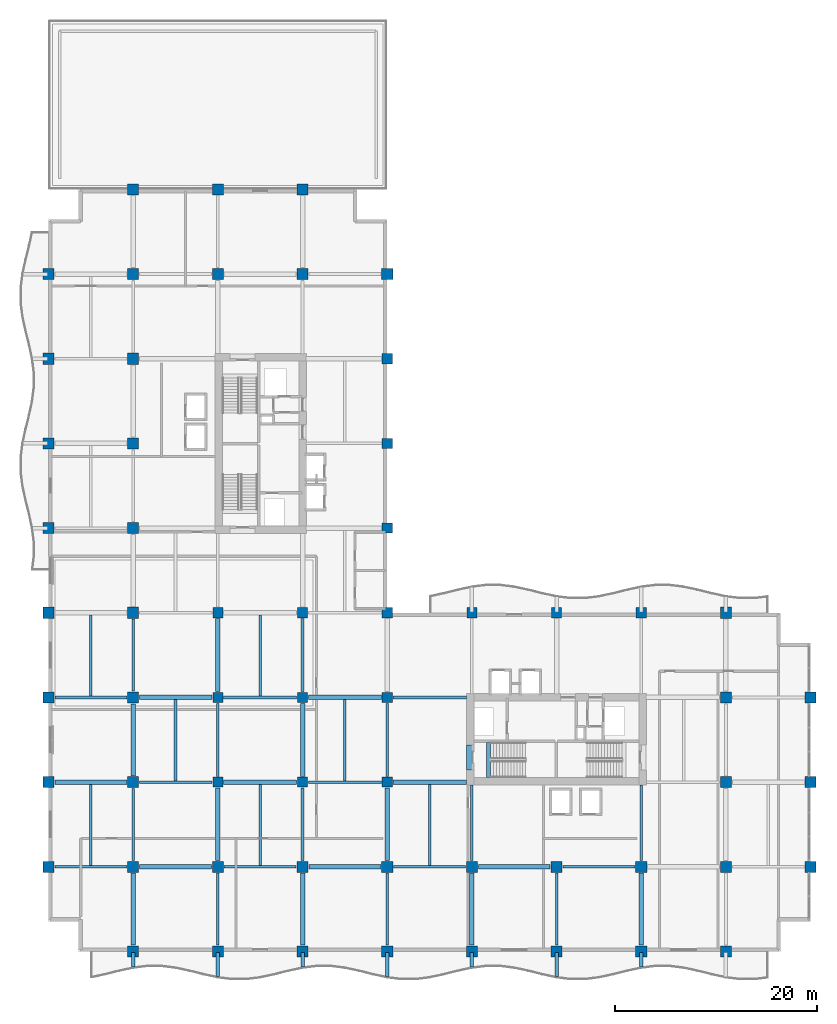
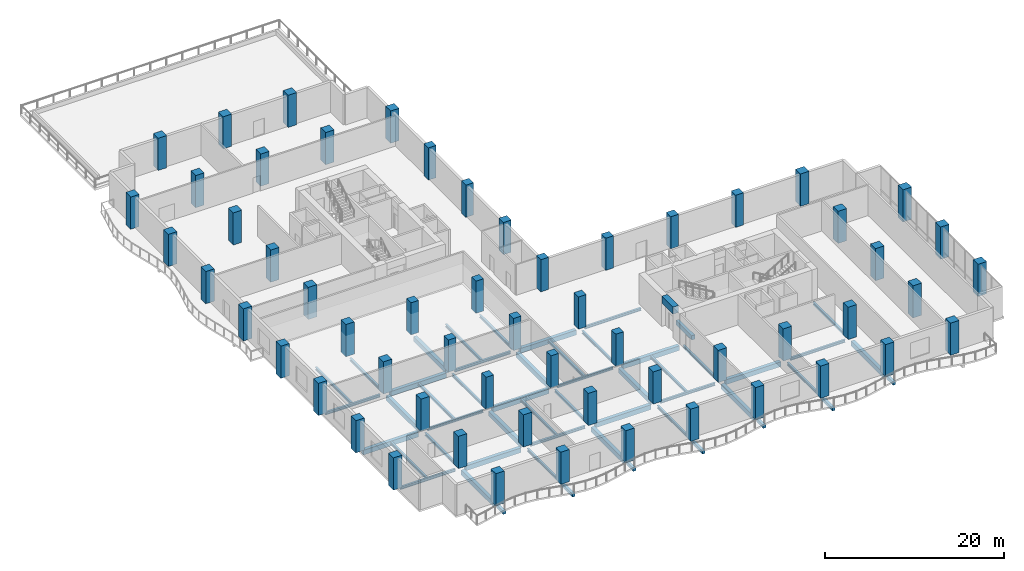
# One storey, part 1 of 22: 58 columns, 53 beams.
"""IFC4 building model written with IfcOpenShell, lengths in metres."""

from ifc_helpers import new_model, si_unit, direction, frame, origin, origin_2d, place, context, subcontext, project, spatial, rectangle, i_section, extrude, material, material_profile, profile_set, type_object, element, save


model = new_model("IFC4")

# Units and contexts
model_context = context("Model", 3, precision=1e-05, world=origin(), true_north=direction((0.0, 1.0)))
body_context = subcontext(model_context, "Body", "Model", "MODEL_VIEW")
ifc_project = project(units=[si_unit("LENGTHUNIT", "METRE"), si_unit("AREAUNIT", "SQUARE_METRE"), si_unit("VOLUMEUNIT", "CUBIC_METRE"), si_unit("PLANEANGLEUNIT", "RADIAN"), si_unit("MASSUNIT", "GRAM", prefix="KILO")], contexts=[model_context])

# Site, building, storey
site_placement = place(None, origin())
site = spatial("IfcSite", under=ifc_project, at=site_placement, CompositionType="ELEMENT")
building_placement = place(site_placement, origin())
building = spatial("IfcBuilding", under=site, at=building_placement, Name="Koriwani Terraces Tower", CompositionType="ELEMENT")
storey_placement = place(building_placement, frame((0.0, 0.0, 153.199951171875)))
storey = spatial("IfcBuildingStorey", under=building, at=storey_placement, Name="L37", CompositionType="ELEMENT", Elevation=153.199951171875)

# Columns
ifc_material_1 = material(Name="Concrete C50/60", Category="concrete")
ifc_material_profile_1 = material_profile(ifc_material_1, rectangle(XDim=1.0, YDim=1.0, at=origin_2d()), Name="Concrete C50/60", Category="LoadBearing")
ifc_profile_set_1 = profile_set([ifc_material_profile_1], Name="Concrete C50/60")
column_type_1 = type_object("IfcColumnType", Name="COL_RC_1000X1000", PredefinedType="COLUMN", material=ifc_profile_set_1)
for number, where, z_axis, x_axis, name in (
    (1, (16.800048828125, 16.800048828125, 0.0), (0.0, 0.0, 1.0), (1.0, 0.0, 0.0), "L37 Column 3/C"),
    (2, (16.800048828125, 25.199951171875, 0.0), (0.0, 0.0, 1.0), (1.0, 0.0, 0.0), "L37 Column 3/D"),
    (3, (16.800048828125, 33.60009765625, 0.0), (0.0, 0.0, 1.0), (1.0, 0.0, 0.0), "L37 Column 3/E"),
    (4, (25.199951171875, 16.800048828125, 0.0), (0.0, 0.0, 1.0), (1.0, 0.0, 0.0), "L37 Column 4/C"),
    (5, (25.199951171875, 25.199951171875, 0.0), (0.0, 0.0, 1.0), (1.0, 0.0, 0.0), "L37 Column 4/D"),
    (6, (25.199951171875, 33.60009765625, 0.0), (0.0, 0.0, 1.0), (1.0, 0.0, 0.0), "L37 Column 4/E"),
    (7, (33.60009765625, 16.800048828125, 0.0), (0.0, 0.0, 1.0), (1.0, 0.0, 0.0), "L37 Column 5/C"),
    (8, (33.60009765625, 25.199951171875, 0.0), (0.0, 0.0, 1.0), (1.0, 0.0, 0.0), "L37 Column 5/D"),
    (9, (33.60009765625, 33.60009765625, 0.0), (0.0, 0.0, 1.0), (1.0, 0.0, 0.0), "L37 Column 5/E"),
    (10, (33.60009765625, 42.0, 0.0), (0.0, 0.0, 1.0), (1.0, 0.0, 0.0), "L37 Column 5/F"),
    (11, (33.60009765625, 50.39990234375, 0.0), (0.0, 0.0, 1.0), (1.0, 0.0, 0.0), "L37 Column 5/G"),
    (12, (33.60009765625, 58.800048828125, 0.0), (0.0, 0.0, 1.0), (1.0, 0.0, 0.0), "L37 Column 5/H"),
    (13, (42.0, 33.60009765625, 0.0), (0.0, 0.0, 1.0), (1.0, 0.0, 0.0), "L37 Column 6/E"),
    (14, (50.39990234375, 33.60009765625, 0.0), (0.0, 0.0, 1.0), (1.0, 0.0, 0.0), "L37 Column 7/E"),
    (15, (58.800048828125, 33.60009765625, 0.0), (0.0, 0.0, 1.0), (1.0, 0.0, 0.0), "L37 Column 8/E"),
):
    element("IfcColumn", number, at=place(storey_placement, frame(where, z_axis=z_axis, x_axis=x_axis)), inside=storey, type_object=column_type_1, Name=name, PredefinedType="COLUMN", context=body_context, shape_type="SweptSolid", body=[
        extrude(rectangle(XDim=1.0, YDim=1.0, at=origin_2d()), origin(), (0.0, 0.0, 1.0), 4.400146484375),
    ])
ifc_material_profile_2 = material_profile(ifc_material_1, rectangle(XDim=1.10009765625, YDim=1.10009765625, at=origin_2d()), Name="Concrete C50/60", Category="LoadBearing")
ifc_profile_set_2 = profile_set([ifc_material_profile_2], Name="Concrete C50/60")
column_type_2 = type_object("IfcColumnType", Name="COL_RC_1100X1100", PredefinedType="COLUMN", material=ifc_profile_set_2)
for number, where, z_axis, x_axis, name in (
    (16, (0.0, 8.39990234375, 0.0), (0.0, 0.0, 1.0), (1.0, 0.0, 0.0), "L37 Column 1/B"),
    (17, (0.0, 16.800048828125, 0.0), (0.0, 0.0, 1.0), (1.0, 0.0, 0.0), "L37 Column 1/C"),
    (18, (0.0, 25.199951171875, 0.0), (0.0, 0.0, 1.0), (1.0, 0.0, 0.0), "L37 Column 1/D"),
    (19, (0.0, 33.60009765625, 0.0), (0.0, 0.0, 1.0), (1.0, 0.0, 0.0), "L37 Column 1/E"),
    (20, (0.0, 42.0, 0.0), (0.0, 0.0, 1.0), (1.0, 0.0, 0.0), "L37 Column 1/F"),
    (21, (0.0, 50.39990234375, 0.0), (0.0, 0.0, 1.0), (1.0, 0.0, 0.0), "L37 Column 1/G"),
    (22, (0.0, 58.800048828125, 0.0), (0.0, 0.0, 1.0), (1.0, 0.0, 0.0), "L37 Column 1/H"),
    (23, (0.0, 67.199951171875, 0.0), (0.0, 0.0, 1.0), (1.0, 0.0, 0.0), "L37 Column 1/I"),
    (24, (8.39990234375, 0.0, 0.0), (0.0, 0.0, 1.0), (1.0, 0.0, 0.0), "L37 Column 2/A"),
    (25, (8.39990234375, 8.39990234375, 0.0), (0.0, 0.0, 1.0), (1.0, 0.0, 0.0), "L37 Column 2/B"),
    (26, (8.39990234375, 16.800048828125, 0.0), (0.0, 0.0, 1.0), (1.0, 0.0, 0.0), "L37 Column 2/C"),
    (27, (8.39990234375, 25.199951171875, 0.0), (0.0, 0.0, 1.0), (1.0, 0.0, 0.0), "L37 Column 2/D"),
    (28, (8.39990234375, 33.60009765625, 0.0), (0.0, 0.0, 1.0), (1.0, 0.0, 0.0), "L37 Column 2/E"),
    (29, (8.39990234375, 42.0, 0.0), (0.0, 0.0, 1.0), (1.0, 0.0, 0.0), "L37 Column 2/F"),
    (30, (8.39990234375, 50.39990234375, 0.0), (0.0, 0.0, 1.0), (1.0, 0.0, 0.0), "L37 Column 2/G"),
    (31, (8.39990234375, 58.800048828125, 0.0), (0.0, 0.0, 1.0), (1.0, 0.0, 0.0), "L37 Column 2/H"),
    (32, (8.39990234375, 67.199951171875, 0.0), (0.0, 0.0, 1.0), (1.0, 0.0, 0.0), "L37 Column 2/I"),
    (33, (8.39990234375, 75.60009765625, 0.0), (0.0, 0.0, 1.0), (1.0, 0.0, 0.0), "L37 Column 2/J"),
    (34, (16.800048828125, 0.0, 0.0), (0.0, 0.0, 1.0), (1.0, 0.0, 0.0), "L37 Column 3/A"),
    (35, (16.800048828125, 8.39990234375, 0.0), (0.0, 0.0, 1.0), (1.0, 0.0, 0.0), "L37 Column 3/B"),
    (36, (16.800048828125, 67.199951171875, 0.0), (0.0, 0.0, 1.0), (1.0, 0.0, 0.0), "L37 Column 3/I"),
    (37, (16.800048828125, 75.60009765625, 0.0), (0.0, 0.0, 1.0), (1.0, 0.0, 0.0), "L37 Column 3/J"),
    (38, (25.199951171875, 0.0, 0.0), (0.0, 0.0, 1.0), (1.0, 0.0, 0.0), "L37 Column 4/A"),
    (39, (25.199951171875, 8.39990234375, 0.0), (0.0, 0.0, 1.0), (1.0, 0.0, 0.0), "L37 Column 4/B"),
    (40, (25.199951171875, 67.199951171875, 0.0), (0.0, 0.0, 1.0), (1.0, 0.0, 0.0), "L37 Column 4/I"),
    (41, (25.199951171875, 75.60009765625, 0.0), (0.0, 0.0, 1.0), (1.0, 0.0, 0.0), "L37 Column 4/J"),
    (42, (33.60009765625, 0.0, 0.0), (0.0, 0.0, 1.0), (1.0, 0.0, 0.0), "L37 Column 5/A"),
    (43, (33.60009765625, 8.39990234375, 0.0), (0.0, 0.0, 1.0), (1.0, 0.0, 0.0), "L37 Column 5/B"),
    (44, (33.60009765625, 67.199951171875, 0.0), (0.0, 0.0, 1.0), (1.0, 0.0, 0.0), "L37 Column 5/I"),
    (45, (42.0, 0.0, 0.0), (0.0, 0.0, 1.0), (1.0, 0.0, 0.0), "L37 Column 6/A"),
    (46, (42.0, 8.39990234375, 0.0), (0.0, 0.0, 1.0), (1.0, 0.0, 0.0), "L37 Column 6/B"),
    (47, (50.39990234375, 0.0, 0.0), (0.0, 0.0, 1.0), (1.0, 0.0, 0.0), "L37 Column 7/A"),
    (48, (50.39990234375, 8.39990234375, 0.0), (0.0, 0.0, 1.0), (1.0, 0.0, 0.0), "L37 Column 7/B"),
    (49, (58.800048828125, 0.0, 0.0), (0.0, 0.0, 1.0), (1.0, 0.0, 0.0), "L37 Column 8/A"),
    (50, (58.800048828125, 8.39990234375, 0.0), (0.0, 0.0, 1.0), (1.0, 0.0, 0.0), "L37 Column 8/B"),
    (51, (67.199951171875, 0.0, 0.0), (0.0, 0.0, 1.0), (1.0, 0.0, 0.0), "L37 Column 9/A"),
    (52, (67.199951171875, 8.39990234375, 0.0), (0.0, 0.0, 1.0), (1.0, 0.0, 0.0), "L37 Column 9/B"),
    (53, (67.199951171875, 16.800048828125, 0.0), (0.0, 0.0, 1.0), (1.0, 0.0, 0.0), "L37 Column 9/C"),
    (54, (67.199951171875, 25.199951171875, 0.0), (0.0, 0.0, 1.0), (1.0, 0.0, 0.0), "L37 Column 9/D"),
    (55, (67.199951171875, 33.60009765625, 0.0), (0.0, 0.0, 1.0), (1.0, 0.0, 0.0), "L37 Column 9/E"),
    (56, (75.60009765625, 8.39990234375, 0.0), (0.0, 0.0, 1.0), (1.0, 0.0, 0.0), "L37 Column 10/B"),
    (57, (75.60009765625, 16.800048828125, 0.0), (0.0, 0.0, 1.0), (1.0, 0.0, 0.0), "L37 Column 10/C"),
    (58, (75.60009765625, 25.199951171875, 0.0), (0.0, 0.0, 1.0), (1.0, 0.0, 0.0), "L37 Column 10/D"),
):
    element("IfcColumn", number, at=place(storey_placement, frame(where, z_axis=z_axis, x_axis=x_axis)), inside=storey, type_object=column_type_2, Name=name, PredefinedType="COLUMN", context=body_context, shape_type="SweptSolid", body=[
        extrude(rectangle(XDim=1.10009765625, YDim=1.10009765625, at=origin_2d()), origin(), (0.0, 0.0, 1.0), 4.400146484375),
    ])

# Beams
ifc_material_2 = material(Name="Concrete C40/50", Category="concrete")
ifc_material_profile_3 = material_profile(ifc_material_2, rectangle(XDim=0.35009765625, YDim=0.449951171875, at=origin_2d()), Name="Concrete C40/50", Category="LoadBearing")
ifc_profile_set_3 = profile_set([ifc_material_profile_3], Name="Concrete C40/50")
beam_type_1 = type_object("IfcBeamType", Name="BEAM_RC_BALCONY_RIB_350X450", PredefinedType="JOIST", material=ifc_profile_set_3)
beam_1_placement = place(storey_placement, frame((8.39990234375, -1.547607421875, -0.474853515625), z_axis=(0.0, 1.0, 0.0), x_axis=(-1.0, 0.0, 0.0)))
element("IfcBeam", 59, at=beam_1_placement, inside=storey, type_object=beam_type_1, Name="L37 Balcony Bracket Rib S-1", PredefinedType="JOIST", context=body_context, shape_type="SweptSolid", body=[
    extrude(rectangle(XDim=0.35009765625, YDim=0.449951171875, at=origin_2d()), origin(), (0.0, 0.0, 1.0), 1.447509765625),
])
beam_2_placement = place(storey_placement, frame((16.800048828125, -2.502197265625, -0.474853515625), z_axis=(0.0, 1.0, 0.0), x_axis=(-1.0, 0.0, 0.0)))
element("IfcBeam", 60, at=beam_2_placement, inside=storey, type_object=beam_type_1, Name="L37 Balcony Bracket Rib S-2", PredefinedType="JOIST", context=body_context, shape_type="SweptSolid", body=[
    extrude(rectangle(XDim=0.35009765625, YDim=0.449951171875, at=origin_2d()), origin(), (0.0, 0.0, 1.0), 2.402099609375),
])
beam_3_placement = place(storey_placement, frame((25.199951171875, -1.547607421875, -0.474853515625), z_axis=(0.0, 1.0, 0.0), x_axis=(-1.0, 0.0, 0.0)))
element("IfcBeam", 61, at=beam_3_placement, inside=storey, type_object=beam_type_1, Name="L37 Balcony Bracket Rib S-3", PredefinedType="JOIST", context=body_context, shape_type="SweptSolid", body=[
    extrude(rectangle(XDim=0.35009765625, YDim=0.449951171875, at=origin_2d()), origin(), (0.0, 0.0, 1.0), 1.447509765625),
])
beam_4_placement = place(storey_placement, frame((33.60009765625, -2.502197265625, -0.474853515625), z_axis=(0.0, 1.0, 0.0), x_axis=(-1.0, 0.0, 0.0)))
element("IfcBeam", 62, at=beam_4_placement, inside=storey, type_object=beam_type_1, Name="L37 Balcony Bracket Rib S-4", PredefinedType="JOIST", context=body_context, shape_type="SweptSolid", body=[
    extrude(rectangle(XDim=0.35009765625, YDim=0.449951171875, at=origin_2d()), origin(), (0.0, 0.0, 1.0), 2.402099609375),
])
beam_5_placement = place(storey_placement, frame((42.0, -1.547607421875, -0.474853515625), z_axis=(0.0, 1.0, 0.0), x_axis=(-1.0, 0.0, 0.0)))
element("IfcBeam", 63, at=beam_5_placement, inside=storey, type_object=beam_type_1, Name="L37 Balcony Bracket Rib S-5", PredefinedType="JOIST", context=body_context, shape_type="SweptSolid", body=[
    extrude(rectangle(XDim=0.35009765625, YDim=0.449951171875, at=origin_2d()), origin(), (0.0, 0.0, 1.0), 1.447509765625),
])
beam_6_placement = place(storey_placement, frame((50.39990234375, -2.502197265625, -0.474853515625), z_axis=(0.0, 1.0, 0.0), x_axis=(-1.0, 0.0, 0.0)))
element("IfcBeam", 64, at=beam_6_placement, inside=storey, type_object=beam_type_1, Name="L37 Balcony Bracket Rib S-6", PredefinedType="JOIST", context=body_context, shape_type="SweptSolid", body=[
    extrude(rectangle(XDim=0.35009765625, YDim=0.449951171875, at=origin_2d()), origin(), (0.0, 0.0, 1.0), 2.402099609375),
])
beam_7_placement = place(storey_placement, frame((58.800048828125, -1.547607421875, -0.474853515625), z_axis=(0.0, 1.0, 0.0), x_axis=(-1.0, 0.0, 0.0)))
element("IfcBeam", 65, at=beam_7_placement, inside=storey, type_object=beam_type_1, Name="L37 Balcony Bracket Rib S-7", PredefinedType="JOIST", context=body_context, shape_type="SweptSolid", body=[
    extrude(rectangle(XDim=0.35009765625, YDim=0.449951171875, at=origin_2d()), origin(), (0.0, 0.0, 1.0), 1.447509765625),
])
ifc_material_3 = material(Name="Concrete C60/75", Category="concrete")
ifc_material_profile_4 = material_profile(ifc_material_3, rectangle(XDim=0.699951171875, YDim=0.949951171875, at=origin_2d()), Name="Concrete C60/75", Category="LoadBearing")
ifc_profile_set_4 = profile_set([ifc_material_profile_4], Name="Concrete C60/75")
beam_type_2 = type_object("IfcBeamType", Name="BEAM_RC_COUPLING_700X950", PredefinedType="LINTEL", material=ifc_profile_set_4)
beam_8_placement = place(storey_placement, frame((41.824951171875, 18.0, 3.675048828125), z_axis=(0.0, 1.0, 0.0), x_axis=(-1.0, 0.0, 0.0)))
element("IfcBeam", 66, at=beam_8_placement, inside=storey, type_object=beam_type_2, Name="L37 Core Coupling Lintel Beam EW", PredefinedType="LINTEL", context=body_context, shape_type="SweptSolid", body=[
    extrude(rectangle(XDim=0.699951171875, YDim=0.949951171875, at=origin_2d()), origin(), (0.0, 0.0, 1.0), 2.5),
])
ifc_material_profile_5 = material_profile(ifc_material_2, rectangle(XDim=0.39990234375, YDim=0.60009765625, at=origin_2d()), Name="Concrete C40/50", Category="LoadBearing")
ifc_profile_set_5 = profile_set([ifc_material_profile_5], Name="Concrete C40/50")
beam_type_3 = type_object("IfcBeamType", Name="BEAM_RC_GRID_400X600", PredefinedType="BEAM", material=ifc_profile_set_5)
beam_9_placement = place(storey_placement, frame((43.655029296875, 17.25, -0.300048828125), z_axis=(0.0, 1.0, 0.0), x_axis=(-1.0, 0.0, 0.0)))
element("IfcBeam", 67, at=beam_9_placement, inside=storey, type_object=beam_type_3, Name="L37 Stairwell Header Trimmer Beam ST-E1", PredefinedType="BEAM", context=body_context, shape_type="SweptSolid", body=[
    extrude(rectangle(XDim=0.39990234375, YDim=0.60009765625, at=origin_2d()), origin(), (0.0, 0.0, 1.0), 3.5),
])
ifc_material_profile_6 = material_profile(ifc_material_1, rectangle(XDim=0.449951171875, YDim=0.64990234375, at=origin_2d()), Name="Concrete C50/60", Category="LoadBearing")
ifc_profile_set_6 = profile_set([ifc_material_profile_6], Name="Concrete C50/60")
beam_type_4 = type_object("IfcBeamType", Name="BEAM_RC_GRID_450X650", PredefinedType="BEAM", material=ifc_profile_set_6)
for number, where, z_axis, x_axis, name in (
    (68, (9.030029296875, 8.39990234375, -0.574951171875), (1.0, 0.0, 0.0), (0.0, 1.0, 0.0), "L37 Grid Beam B (8.4-16.8m)"),
    (69, (25.830078125, 8.39990234375, -0.574951171875), (1.0, 0.0, 0.0), (0.0, 1.0, 0.0), "L37 Grid Beam B (25.2-33.6m)"),
):
    element("IfcBeam", number, at=place(storey_placement, frame(where, z_axis=z_axis, x_axis=x_axis)), inside=storey, type_object=beam_type_4, Name=name, PredefinedType="BEAM", context=body_context, shape_type="SweptSolid", body=[
        extrude(rectangle(XDim=0.449951171875, YDim=0.64990234375, at=origin_2d()), origin(), (0.0, 0.0, 1.0), 7.139892578125),
    ])
for number, where, z_axis, x_axis, name in (
    (70, (42.6298828125, 8.39990234375, -0.574951171875), (1.0, 0.0, 0.0), (0.0, 1.0, 0.0), "L37 Grid Beam B (42.0-50.4m)"),
    (71, (0.6298828125, 16.800048828125, -0.574951171875), (1.0, 0.0, 0.0), (0.0, 1.0, 0.0), "L37 Grid Beam C (0.0-8.4m)"),
):
    element("IfcBeam", number, at=place(storey_placement, frame(where, z_axis=z_axis, x_axis=x_axis)), inside=storey, type_object=beam_type_4, Name=name, PredefinedType="BEAM", context=body_context, shape_type="SweptSolid", body=[
        extrude(rectangle(XDim=0.449951171875, YDim=0.64990234375, at=origin_2d()), origin(), (0.0, 0.0, 1.0), 7.14013671875),
    ])
beam_10_placement = place(storey_placement, frame((17.3798828125, 16.800048828125, -0.574951171875), z_axis=(1.0, 0.0, 0.0), x_axis=(0.0, 1.0, 0.0)))
element("IfcBeam", 72, at=beam_10_placement, inside=storey, type_object=beam_type_4, Name="L37 Grid Beam C (16.8-25.2m)", PredefinedType="BEAM", context=body_context, shape_type="SweptSolid", body=[
    extrude(rectangle(XDim=0.449951171875, YDim=0.64990234375, at=origin_2d()), origin(), (0.0, 0.0, 1.0), 7.240234375),
])
beam_11_placement = place(storey_placement, frame((34.179931640625, 16.800048828125, -0.574951171875), z_axis=(1.0, 0.0, 0.0), x_axis=(0.0, 1.0, 0.0)))
element("IfcBeam", 73, at=beam_11_placement, inside=storey, type_object=beam_type_4, Name="L37 Grid Beam C (33.6-42.0m)", PredefinedType="BEAM", context=body_context, shape_type="SweptSolid", body=[
    extrude(rectangle(XDim=0.449951171875, YDim=0.64990234375, at=origin_2d()), origin(), (0.0, 0.0, 1.0), 7.2900390625),
])
beam_12_placement = place(storey_placement, frame((9.030029296875, 25.199951171875, -0.574951171875), z_axis=(1.0, 0.0, 0.0), x_axis=(0.0, 1.0, 0.0)))
element("IfcBeam", 74, at=beam_12_placement, inside=storey, type_object=beam_type_4, Name="L37 Grid Beam D (8.4-16.8m)", PredefinedType="BEAM", context=body_context, shape_type="SweptSolid", body=[
    extrude(rectangle(XDim=0.449951171875, YDim=0.64990234375, at=origin_2d()), origin(), (0.0, 0.0, 1.0), 7.18994140625),
])
beam_13_placement = place(storey_placement, frame((25.780029296875, 25.199951171875, -0.574951171875), z_axis=(1.0, 0.0, 0.0), x_axis=(0.0, 1.0, 0.0)))
element("IfcBeam", 75, at=beam_13_placement, inside=storey, type_object=beam_type_4, Name="L37 Grid Beam D (25.2-33.6m)", PredefinedType="BEAM", context=body_context, shape_type="SweptSolid", body=[
    extrude(rectangle(XDim=0.449951171875, YDim=0.64990234375, at=origin_2d()), origin(), (0.0, 0.0, 1.0), 7.239990234375),
])
for number, where, z_axis, x_axis, name in (
    (76, (8.39990234375, 0.6298828125, -0.574951171875), (0.0, 1.0, 0.0), (-1.0, 0.0, 0.0), "L37 Grid Beam 2 (0.0-8.4m)"),
    (77, (8.39990234375, 17.429931640625, -0.574951171875), (0.0, 1.0, 0.0), (-1.0, 0.0, 0.0), "L37 Grid Beam 2 (16.8-25.2m)"),
):
    element("IfcBeam", number, at=place(storey_placement, frame(where, z_axis=z_axis, x_axis=x_axis)), inside=storey, type_object=beam_type_4, Name=name, PredefinedType="BEAM", context=body_context, shape_type="SweptSolid", body=[
        extrude(rectangle(XDim=0.449951171875, YDim=0.64990234375, at=origin_2d()), origin(), (0.0, 0.0, 1.0), 7.14013671875),
    ])
beam_14_placement = place(storey_placement, frame((16.800048828125, 9.030029296875, -0.574951171875), z_axis=(0.0, 1.0, 0.0), x_axis=(-1.0, 0.0, 0.0)))
element("IfcBeam", 78, at=beam_14_placement, inside=storey, type_object=beam_type_4, Name="L37 Grid Beam 3 (8.4-16.8m)", PredefinedType="BEAM", context=body_context, shape_type="SweptSolid", body=[
    extrude(rectangle(XDim=0.449951171875, YDim=0.64990234375, at=origin_2d()), origin(), (0.0, 0.0, 1.0), 7.18994140625),
])
beam_15_placement = place(storey_placement, frame((16.800048828125, 25.780029296875, -0.574951171875), z_axis=(0.0, 1.0, 0.0), x_axis=(-1.0, 0.0, 0.0)))
element("IfcBeam", 79, at=beam_15_placement, inside=storey, type_object=beam_type_4, Name="L37 Grid Beam 3 (25.2-33.6m)", PredefinedType="BEAM", context=body_context, shape_type="SweptSolid", body=[
    extrude(rectangle(XDim=0.449951171875, YDim=0.64990234375, at=origin_2d()), origin(), (0.0, 0.0, 1.0), 7.239990234375),
])
beam_16_placement = place(storey_placement, frame((25.199951171875, 0.6298828125, -0.574951171875), z_axis=(0.0, 1.0, 0.0), x_axis=(-1.0, 0.0, 0.0)))
element("IfcBeam", 80, at=beam_16_placement, inside=storey, type_object=beam_type_4, Name="L37 Grid Beam 4 (0.0-8.4m)", PredefinedType="BEAM", context=body_context, shape_type="SweptSolid", body=[
    extrude(rectangle(XDim=0.449951171875, YDim=0.64990234375, at=origin_2d()), origin(), (0.0, 0.0, 1.0), 7.14013671875),
])
beam_17_placement = place(storey_placement, frame((25.199951171875, 17.3798828125, -0.574951171875), z_axis=(0.0, 1.0, 0.0), x_axis=(-1.0, 0.0, 0.0)))
element("IfcBeam", 81, at=beam_17_placement, inside=storey, type_object=beam_type_4, Name="L37 Grid Beam 4 (16.8-25.2m)", PredefinedType="BEAM", context=body_context, shape_type="SweptSolid", body=[
    extrude(rectangle(XDim=0.449951171875, YDim=0.64990234375, at=origin_2d()), origin(), (0.0, 0.0, 1.0), 7.240234375),
])
beam_18_placement = place(storey_placement, frame((33.60009765625, 9.030029296875, -0.574951171875), z_axis=(0.0, 1.0, 0.0), x_axis=(-1.0, 0.0, 0.0)))
element("IfcBeam", 82, at=beam_18_placement, inside=storey, type_object=beam_type_4, Name="L37 Grid Beam 5 (8.4-16.8m)", PredefinedType="BEAM", context=body_context, shape_type="SweptSolid", body=[
    extrude(rectangle(XDim=0.449951171875, YDim=0.64990234375, at=origin_2d()), origin(), (0.0, 0.0, 1.0), 7.18994140625),
])
for number, where, z_axis, x_axis, name in (
    (83, (42.0, 0.6298828125, -0.574951171875), (0.0, 1.0, 0.0), (-1.0, 0.0, 0.0), "L37 Grid Beam 6 (0.0-8.4m)"),
    (84, (58.800048828125, 0.6298828125, -0.574951171875), (0.0, 1.0, 0.0), (-1.0, 0.0, 0.0), "L37 Grid Beam 8 (0.0-8.4m)"),
):
    element("IfcBeam", number, at=place(storey_placement, frame(where, z_axis=z_axis, x_axis=x_axis)), inside=storey, type_object=beam_type_4, Name=name, PredefinedType="BEAM", context=body_context, shape_type="SweptSolid", body=[
        extrude(rectangle(XDim=0.449951171875, YDim=0.64990234375, at=origin_2d()), origin(), (0.0, 0.0, 1.0), 7.14013671875),
    ])
ifc_material_4 = material(Name="Steel ASTM A572 Grade 50", Category="steel")
ifc_material_profile_7 = material_profile(ifc_material_4, i_section(OverallWidth=0.257080078125, OverallDepth=0.363037109375, WebThickness=0.012939453125, FlangeThickness=0.021728515625, at=origin_2d()), Name="Steel ASTM A572 Grade 50", Category="LoadBearing")
ifc_profile_set_7 = profile_set([ifc_material_profile_7], Name="Steel ASTM A572 Grade 50")
beam_type_5 = type_object("IfcBeamType", Name="STEEL_BEAM_W360X122", PredefinedType="JOIST", material=ifc_profile_set_7)
for number, where, z_axis, x_axis, name in (
    (85, (0.6298828125, 8.39990234375, -0.431396484375), (1.0, 0.0, 0.0), (0.0, 1.0, 0.0), "L37 Grid Beam B (0.0-8.4m)"),
    (86, (17.429931640625, 8.39990234375, -0.431396484375), (1.0, 0.0, 0.0), (0.0, 1.0, 0.0), "L37 Grid Beam B (16.8-25.2m)"),
    (87, (34.22998046875, 8.39990234375, -0.431396484375), (1.0, 0.0, 0.0), (0.0, 1.0, 0.0), "L37 Grid Beam B (33.6-42.0m)"),
):
    element("IfcBeam", number, at=place(storey_placement, frame(where, z_axis=z_axis, x_axis=x_axis)), inside=storey, type_object=beam_type_5, Name=name, PredefinedType="JOIST", context=body_context, shape_type="SweptSolid", body=[
        extrude(i_section(OverallWidth=0.257080078125, OverallDepth=0.363037109375, WebThickness=0.012939453125, FlangeThickness=0.021728515625, at=origin_2d()), origin(), (0.0, 0.0, 1.0), 7.14013671875),
    ])
beam_19_placement = place(storey_placement, frame((51.030029296875, 8.39990234375, -0.431396484375), z_axis=(1.0, 0.0, 0.0), x_axis=(0.0, 1.0, 0.0)))
element("IfcBeam", 88, at=beam_19_placement, inside=storey, type_object=beam_type_5, Name="L37 Grid Beam B (50.4-58.8m)", PredefinedType="JOIST", context=body_context, shape_type="SweptSolid", body=[
    extrude(i_section(OverallWidth=0.257080078125, OverallDepth=0.363037109375, WebThickness=0.012939453125, FlangeThickness=0.021728515625, at=origin_2d()), origin(), (0.0, 0.0, 1.0), 7.139892578125),
])
beam_20_placement = place(storey_placement, frame((9.030029296875, 16.800048828125, -0.431396484375), z_axis=(1.0, 0.0, 0.0), x_axis=(0.0, 1.0, 0.0)))
element("IfcBeam", 89, at=beam_20_placement, inside=storey, type_object=beam_type_5, Name="L37 Grid Beam C (8.4-16.8m)", PredefinedType="JOIST", context=body_context, shape_type="SweptSolid", body=[
    extrude(i_section(OverallWidth=0.257080078125, OverallDepth=0.363037109375, WebThickness=0.012939453125, FlangeThickness=0.021728515625, at=origin_2d()), origin(), (0.0, 0.0, 1.0), 7.18994140625),
])
beam_21_placement = place(storey_placement, frame((25.780029296875, 16.800048828125, -0.431396484375), z_axis=(1.0, 0.0, 0.0), x_axis=(0.0, 1.0, 0.0)))
element("IfcBeam", 90, at=beam_21_placement, inside=storey, type_object=beam_type_5, Name="L37 Grid Beam C (25.2-33.6m)", PredefinedType="JOIST", context=body_context, shape_type="SweptSolid", body=[
    extrude(i_section(OverallWidth=0.257080078125, OverallDepth=0.363037109375, WebThickness=0.012939453125, FlangeThickness=0.021728515625, at=origin_2d()), origin(), (0.0, 0.0, 1.0), 7.239990234375),
])
beam_22_placement = place(storey_placement, frame((0.6298828125, 25.199951171875, -0.431396484375), z_axis=(1.0, 0.0, 0.0), x_axis=(0.0, 1.0, 0.0)))
element("IfcBeam", 91, at=beam_22_placement, inside=storey, type_object=beam_type_5, Name="L37 Grid Beam D (0.0-8.4m)", PredefinedType="JOIST", context=body_context, shape_type="SweptSolid", body=[
    extrude(i_section(OverallWidth=0.257080078125, OverallDepth=0.363037109375, WebThickness=0.012939453125, FlangeThickness=0.021728515625, at=origin_2d()), origin(), (0.0, 0.0, 1.0), 7.14013671875),
])
beam_23_placement = place(storey_placement, frame((17.3798828125, 25.199951171875, -0.431396484375), z_axis=(1.0, 0.0, 0.0), x_axis=(0.0, 1.0, 0.0)))
element("IfcBeam", 92, at=beam_23_placement, inside=storey, type_object=beam_type_5, Name="L37 Grid Beam D (16.8-25.2m)", PredefinedType="JOIST", context=body_context, shape_type="SweptSolid", body=[
    extrude(i_section(OverallWidth=0.257080078125, OverallDepth=0.363037109375, WebThickness=0.012939453125, FlangeThickness=0.021728515625, at=origin_2d()), origin(), (0.0, 0.0, 1.0), 7.240234375),
])
beam_24_placement = place(storey_placement, frame((34.179931640625, 25.199951171875, -0.431396484375), z_axis=(1.0, 0.0, 0.0), x_axis=(0.0, 1.0, 0.0)))
element("IfcBeam", 93, at=beam_24_placement, inside=storey, type_object=beam_type_5, Name="L37 Grid Beam D (33.6-42.0m)", PredefinedType="JOIST", context=body_context, shape_type="SweptSolid", body=[
    extrude(i_section(OverallWidth=0.257080078125, OverallDepth=0.363037109375, WebThickness=0.012939453125, FlangeThickness=0.021728515625, at=origin_2d()), origin(), (0.0, 0.0, 1.0), 7.2900390625),
])
for number, where, z_axis, x_axis, name in (
    (94, (8.39990234375, 9.030029296875, -0.431396484375), (0.0, 1.0, 0.0), (-1.0, 0.0, 0.0), "L37 Grid Beam 2 (8.4-16.8m)"),
    (95, (8.39990234375, 25.830078125, -0.431396484375), (0.0, 1.0, 0.0), (-1.0, 0.0, 0.0), "L37 Grid Beam 2 (25.2-33.6m)"),
):
    element("IfcBeam", number, at=place(storey_placement, frame(where, z_axis=z_axis, x_axis=x_axis)), inside=storey, type_object=beam_type_5, Name=name, PredefinedType="JOIST", context=body_context, shape_type="SweptSolid", body=[
        extrude(i_section(OverallWidth=0.257080078125, OverallDepth=0.363037109375, WebThickness=0.012939453125, FlangeThickness=0.021728515625, at=origin_2d()), origin(), (0.0, 0.0, 1.0), 7.139892578125),
    ])
beam_25_placement = place(storey_placement, frame((16.800048828125, 0.6298828125, -0.431396484375), z_axis=(0.0, 1.0, 0.0), x_axis=(-1.0, 0.0, 0.0)))
element("IfcBeam", 96, at=beam_25_placement, inside=storey, type_object=beam_type_5, Name="L37 Grid Beam 3 (0.0-8.4m)", PredefinedType="JOIST", context=body_context, shape_type="SweptSolid", body=[
    extrude(i_section(OverallWidth=0.257080078125, OverallDepth=0.363037109375, WebThickness=0.012939453125, FlangeThickness=0.021728515625, at=origin_2d()), origin(), (0.0, 0.0, 1.0), 7.14013671875),
])
beam_26_placement = place(storey_placement, frame((16.800048828125, 17.3798828125, -0.431396484375), z_axis=(0.0, 1.0, 0.0), x_axis=(-1.0, 0.0, 0.0)))
element("IfcBeam", 97, at=beam_26_placement, inside=storey, type_object=beam_type_5, Name="L37 Grid Beam 3 (16.8-25.2m)", PredefinedType="JOIST", context=body_context, shape_type="SweptSolid", body=[
    extrude(i_section(OverallWidth=0.257080078125, OverallDepth=0.363037109375, WebThickness=0.012939453125, FlangeThickness=0.021728515625, at=origin_2d()), origin(), (0.0, 0.0, 1.0), 7.240234375),
])
beam_27_placement = place(storey_placement, frame((25.199951171875, 9.030029296875, -0.431396484375), z_axis=(0.0, 1.0, 0.0), x_axis=(-1.0, 0.0, 0.0)))
element("IfcBeam", 98, at=beam_27_placement, inside=storey, type_object=beam_type_5, Name="L37 Grid Beam 4 (8.4-16.8m)", PredefinedType="JOIST", context=body_context, shape_type="SweptSolid", body=[
    extrude(i_section(OverallWidth=0.257080078125, OverallDepth=0.363037109375, WebThickness=0.012939453125, FlangeThickness=0.021728515625, at=origin_2d()), origin(), (0.0, 0.0, 1.0), 7.18994140625),
])
beam_28_placement = place(storey_placement, frame((25.199951171875, 25.780029296875, -0.431396484375), z_axis=(0.0, 1.0, 0.0), x_axis=(-1.0, 0.0, 0.0)))
element("IfcBeam", 99, at=beam_28_placement, inside=storey, type_object=beam_type_5, Name="L37 Grid Beam 4 (25.2-33.6m)", PredefinedType="JOIST", context=body_context, shape_type="SweptSolid", body=[
    extrude(i_section(OverallWidth=0.257080078125, OverallDepth=0.363037109375, WebThickness=0.012939453125, FlangeThickness=0.021728515625, at=origin_2d()), origin(), (0.0, 0.0, 1.0), 7.239990234375),
])
beam_29_placement = place(storey_placement, frame((33.60009765625, 0.6298828125, -0.431396484375), z_axis=(0.0, 1.0, 0.0), x_axis=(-1.0, 0.0, 0.0)))
element("IfcBeam", 100, at=beam_29_placement, inside=storey, type_object=beam_type_5, Name="L37 Grid Beam 5 (0.0-8.4m)", PredefinedType="JOIST", context=body_context, shape_type="SweptSolid", body=[
    extrude(i_section(OverallWidth=0.257080078125, OverallDepth=0.363037109375, WebThickness=0.012939453125, FlangeThickness=0.021728515625, at=origin_2d()), origin(), (0.0, 0.0, 1.0), 7.14013671875),
])
beam_30_placement = place(storey_placement, frame((33.60009765625, 17.3798828125, -0.431396484375), z_axis=(0.0, 1.0, 0.0), x_axis=(-1.0, 0.0, 0.0)))
element("IfcBeam", 101, at=beam_30_placement, inside=storey, type_object=beam_type_5, Name="L37 Grid Beam 5 (16.8-25.2m)", PredefinedType="JOIST", context=body_context, shape_type="SweptSolid", body=[
    extrude(i_section(OverallWidth=0.257080078125, OverallDepth=0.363037109375, WebThickness=0.012939453125, FlangeThickness=0.021728515625, at=origin_2d()), origin(), (0.0, 0.0, 1.0), 7.240234375),
])
beam_31_placement = place(storey_placement, frame((42.0, 9.030029296875, -0.431396484375), z_axis=(0.0, 1.0, 0.0), x_axis=(-1.0, 0.0, 0.0)))
element("IfcBeam", 102, at=beam_31_placement, inside=storey, type_object=beam_type_5, Name="L37 Grid Beam 6 (8.4-16.8m)", PredefinedType="JOIST", context=body_context, shape_type="SweptSolid", body=[
    extrude(i_section(OverallWidth=0.257080078125, OverallDepth=0.363037109375, WebThickness=0.012939453125, FlangeThickness=0.021728515625, at=origin_2d()), origin(), (0.0, 0.0, 1.0), 7.489990234375),
])
beam_32_placement = place(storey_placement, frame((50.39990234375, 0.6298828125, -0.431396484375), z_axis=(0.0, 1.0, 0.0), x_axis=(-1.0, 0.0, 0.0)))
element("IfcBeam", 103, at=beam_32_placement, inside=storey, type_object=beam_type_5, Name="L37 Grid Beam 7 (0.0-8.4m)", PredefinedType="JOIST", context=body_context, shape_type="SweptSolid", body=[
    extrude(i_section(OverallWidth=0.257080078125, OverallDepth=0.363037109375, WebThickness=0.012939453125, FlangeThickness=0.021728515625, at=origin_2d()), origin(), (0.0, 0.0, 1.0), 7.14013671875),
])
beam_33_placement = place(storey_placement, frame((58.800048828125, 9.030029296875, -0.431396484375), z_axis=(0.0, 1.0, 0.0), x_axis=(-1.0, 0.0, 0.0)))
element("IfcBeam", 104, at=beam_33_placement, inside=storey, type_object=beam_type_5, Name="L37 Grid Beam 8 (8.4-16.8m)", PredefinedType="JOIST", context=body_context, shape_type="SweptSolid", body=[
    extrude(i_section(OverallWidth=0.257080078125, OverallDepth=0.363037109375, WebThickness=0.012939453125, FlangeThickness=0.021728515625, at=origin_2d()), origin(), (0.0, 0.0, 1.0), 7.489990234375),
])
for number, where, z_axis, x_axis, name in (
    (105, (4.199951171875, 8.5185546875, -0.431396484375), (0.0, 1.0, 0.0), (-1.0, 0.0, 0.0), "L37 Secondary Steel Floor Joist X=4.2m"),
    (106, (4.199951171875, 25.318603515625, -0.431396484375), (0.0, 1.0, 0.0), (-1.0, 0.0, 0.0), "L37 Secondary Steel Floor Joist X=4.2m"),
):
    element("IfcBeam", number, at=place(storey_placement, frame(where, z_axis=z_axis, x_axis=x_axis)), inside=storey, type_object=beam_type_5, Name=name, PredefinedType="JOIST", context=body_context, shape_type="SweptSolid", body=[
        extrude(i_section(OverallWidth=0.257080078125, OverallDepth=0.363037109375, WebThickness=0.012939453125, FlangeThickness=0.021728515625, at=origin_2d()), origin(), (0.0, 0.0, 1.0), 8.06640625),
    ])
beam_34_placement = place(storey_placement, frame((12.60009765625, 16.91845703125, -0.431396484375), z_axis=(0.0, 1.0, 0.0), x_axis=(-1.0, 0.0, 0.0)))
element("IfcBeam", 107, at=beam_34_placement, inside=storey, type_object=beam_type_5, Name="L37 Secondary Steel Floor Joist X=12.6m", PredefinedType="JOIST", context=body_context, shape_type="SweptSolid", body=[
    extrude(i_section(OverallWidth=0.257080078125, OverallDepth=0.363037109375, WebThickness=0.012939453125, FlangeThickness=0.021728515625, at=origin_2d()), origin(), (0.0, 0.0, 1.0), 8.066650390625),
])
for number, where, z_axis, x_axis, name in (
    (108, (21.0, 8.5185546875, -0.431396484375), (0.0, 1.0, 0.0), (-1.0, 0.0, 0.0), "L37 Secondary Steel Floor Joist X=21.0m"),
    (109, (21.0, 25.318603515625, -0.431396484375), (0.0, 1.0, 0.0), (-1.0, 0.0, 0.0), "L37 Secondary Steel Floor Joist X=21.0m"),
):
    element("IfcBeam", number, at=place(storey_placement, frame(where, z_axis=z_axis, x_axis=x_axis)), inside=storey, type_object=beam_type_5, Name=name, PredefinedType="JOIST", context=body_context, shape_type="SweptSolid", body=[
        extrude(i_section(OverallWidth=0.257080078125, OverallDepth=0.363037109375, WebThickness=0.012939453125, FlangeThickness=0.021728515625, at=origin_2d()), origin(), (0.0, 0.0, 1.0), 8.06640625),
    ])
beam_35_placement = place(storey_placement, frame((29.39990234375, 16.91845703125, -0.431396484375), z_axis=(0.0, 1.0, 0.0), x_axis=(-1.0, 0.0, 0.0)))
element("IfcBeam", 110, at=beam_35_placement, inside=storey, type_object=beam_type_5, Name="L37 Secondary Steel Floor Joist X=29.4m", PredefinedType="JOIST", context=body_context, shape_type="SweptSolid", body=[
    extrude(i_section(OverallWidth=0.257080078125, OverallDepth=0.363037109375, WebThickness=0.012939453125, FlangeThickness=0.021728515625, at=origin_2d()), origin(), (0.0, 0.0, 1.0), 8.066650390625),
])
beam_36_placement = place(storey_placement, frame((37.800048828125, 8.5185546875, -0.431396484375), z_axis=(0.0, 1.0, 0.0), x_axis=(-1.0, 0.0, 0.0)))
element("IfcBeam", 111, at=beam_36_placement, inside=storey, type_object=beam_type_5, Name="L37 Secondary Steel Floor Joist X=37.8m", PredefinedType="JOIST", context=body_context, shape_type="SweptSolid", body=[
    extrude(i_section(OverallWidth=0.257080078125, OverallDepth=0.363037109375, WebThickness=0.012939453125, FlangeThickness=0.021728515625, at=origin_2d()), origin(), (0.0, 0.0, 1.0), 8.06640625),
])

save(model, "model.ifc")
